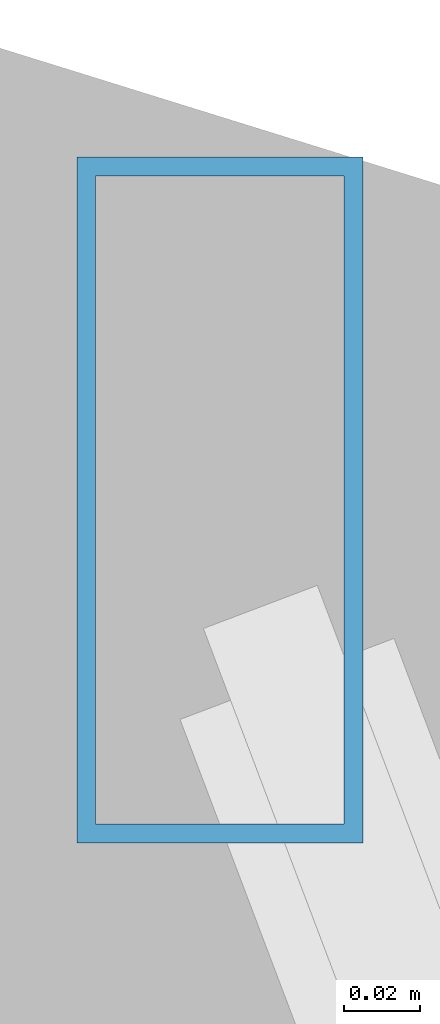
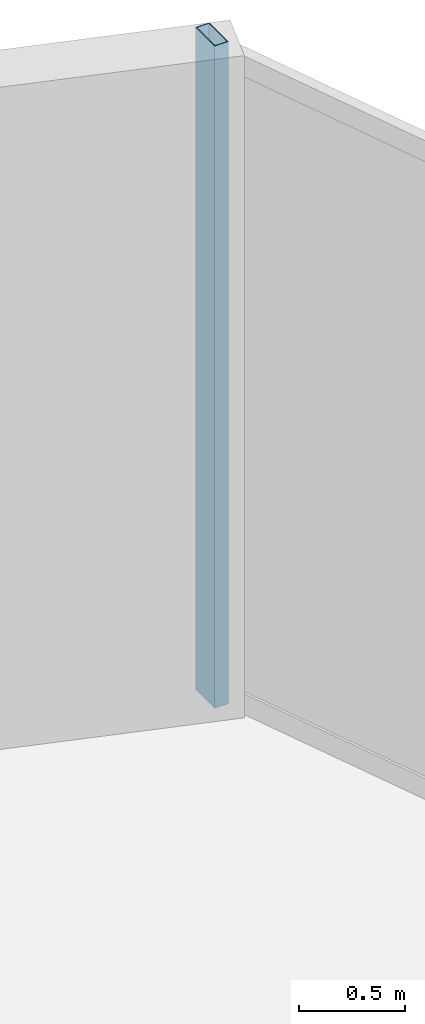
# One storey, part 22 of 28: 1 member, 1 element without a shape of its own.
"""IFC4 building model written with IfcOpenShell, lengths in metres."""

from ifc_helpers import new_model, si_unit, direction, frame, origin, origin_2d, place, context, subcontext, project, spatial, hollow_rectangle, extrude, material, layer, layer_set, material_profile, profile_set, type_object, element, aggregate, save


model = new_model("IFC4")

# Units and contexts
model_context = context("Model", 3, precision=1e-05, world=origin(), true_north=direction((0.0, 1.0)))
body_context = subcontext(model_context, "Body", "Model", "MODEL_VIEW")
ifc_project = project(units=[si_unit("LENGTHUNIT", "METRE"), si_unit("AREAUNIT", "SQUARE_METRE"), si_unit("VOLUMEUNIT", "CUBIC_METRE"), si_unit("PLANEANGLEUNIT", "RADIAN"), si_unit("MASSUNIT", "GRAM", prefix="KILO")], contexts=[model_context])

# Site, building, storey
site_placement = place(None, origin())
site = spatial("IfcSite", under=ifc_project, at=site_placement, CompositionType="ELEMENT")
building_placement = place(site_placement, origin())
building = spatial("IfcBuilding", under=site, at=building_placement, Name="Veymaron Broadcast Tower", CompositionType="ELEMENT")
storey_placement = place(building_placement, frame((0.0, 0.0, 45.89990234375)))
storey = spatial("IfcBuildingStorey", under=building, at=storey_placement, Name="L09", CompositionType="ELEMENT", Elevation=45.89990234375)

# Curtain wall, member
ifc_material_1 = material(Name="Anodised aluminium AA 6063-T6 and laminated low-E dark glass", Category="aluminium")
ifc_layer = layer(ifc_material_1, 0.179931640625)
ifc_layer_set = layer_set([ifc_layer], Name="Anodised aluminium AA 6063-T6 and laminated low-E dark glass")
curtain_wall_type = type_object("IfcCurtainWallType", Name="CW-SYS-02", PredefinedType="NOTDEFINED", material=ifc_layer_set)
curtain_wall_placement = place(storey_placement, origin())
curtain_wall = element("IfcCurtainWall", 1, at=curtain_wall_placement, inside=storey, type_object=curtain_wall_type, Name="L09 dark-glass curtain wall CW-L09-E5-1", PredefinedType="NOTDEFINED")
ifc_material_2 = material(Name="Anodised aluminium AA 6063-T6", Category="aluminium")
ifc_material_profile = material_profile(ifc_material_2, hollow_rectangle(XDim=0.074951171875, YDim=0.179931640625, WallThickness=0.0048828125, at=origin_2d()), Name="AL180X75X5")
ifc_profile_set = profile_set([ifc_material_profile], Name="Anodised aluminium AA 6063-T6")
member_type = type_object("IfcMemberType", Name="CW-MUL-02", PredefinedType="MULLION", material=ifc_profile_set)
member_placement = place(storey_placement, frame((41.663818359375, 44.364501953125, 0.0), z_axis=(0.0, 0.0, 1.0), x_axis=(1.0, 0.0, 0.0)))
member = element("IfcMember", 2, at=member_placement, type_object=member_type, Name="CW-L09-E5-1 mullion 2", PredefinedType="MULLION", context=body_context, shape_type="SweptSolid", body=[
    extrude(hollow_rectangle(XDim=0.074951171875, YDim=0.179931640625, WallThickness=0.0048828125, at=origin_2d()), origin(), (0.0, 0.0, 1.0), 3.81005859375),
])
aggregate(curtain_wall, [member])

save(model, "model.ifc")
